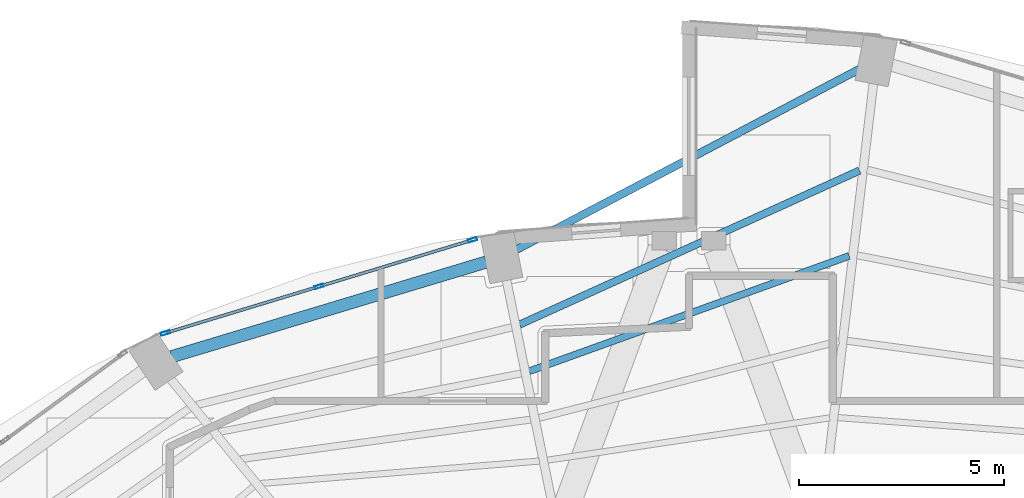
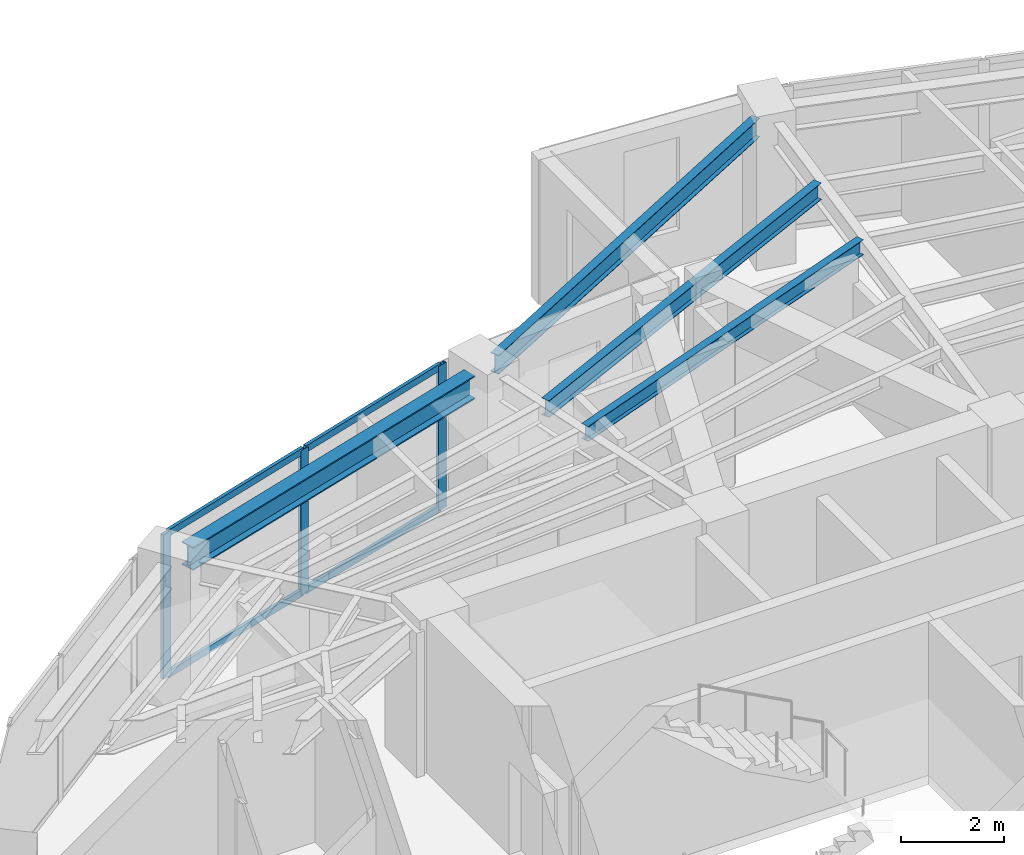
# One storey, part 12 of 20: 7 members, 4 beams, 1 element without a shape of its own.
"""IFC4 building model written with IfcOpenShell, lengths in metres."""

from ifc_helpers import new_model, si_unit, direction, frame, origin, origin_2d, place, context, subcontext, project, spatial, hollow_rectangle, i_section, extrude, material, layer, layer_set, material_profile, profile_set, type_object, element, aggregate, save


model = new_model("IFC4")

# Units and contexts
model_context = context("Model", 3, precision=1e-05, world=origin(), true_north=direction((0.0, 1.0)))
body_context = subcontext(model_context, "Body", "Model", "MODEL_VIEW")
ifc_project = project(units=[si_unit("LENGTHUNIT", "METRE"), si_unit("AREAUNIT", "SQUARE_METRE"), si_unit("VOLUMEUNIT", "CUBIC_METRE"), si_unit("PLANEANGLEUNIT", "RADIAN"), si_unit("MASSUNIT", "GRAM", prefix="KILO")], contexts=[model_context])

# Site, building, storey
site_placement = place(None, origin())
site = spatial("IfcSite", under=ifc_project, at=site_placement, CompositionType="ELEMENT")
building_placement = place(site_placement, origin())
building = spatial("IfcBuilding", under=site, at=building_placement, Name="Lazwardi Medical Tower", CompositionType="ELEMENT")
storey_placement = place(building_placement, frame((0.0, 0.0, 145.583984375)))
storey = spatial("IfcBuildingStorey", under=building, at=storey_placement, Name="L37", CompositionType="ELEMENT", Elevation=145.583984375)

# Beams
ifc_material_1 = material(Name="Steel S355", Category="steel")
ifc_material_profile_1 = material_profile(ifc_material_1, i_section(OverallWidth=0.300048828125, OverallDepth=0.550048828125, WebThickness=0.014892578125, FlangeThickness=0.029052734375, at=origin_2d()), Name="HEB 550")
ifc_profile_set_1 = profile_set([ifc_material_profile_1], Name="Steel S355")
beam_type_1 = type_object("IfcBeamType", Name="BM-RB-Z3", PredefinedType="BEAM", material=ifc_profile_set_1)
beam_1_placement = place(storey_placement, frame((31.056884765625, 42.133544921875, 3.153076171875), z_axis=(-0.957616873483, -0.288045002771, 0.0), x_axis=(0.288045002771, -0.957616873483, 0.0)))
element("IfcBeam", 1, at=beam_1_placement, inside=storey, type_object=beam_type_1, Name="Ring beam RB-04 B09 L37", PredefinedType="BEAM", context=body_context, shape_type="SweptSolid", body=[
    extrude(i_section(OverallWidth=0.300048828125, OverallDepth=0.550048828125, WebThickness=0.014892578125, FlangeThickness=0.029052734375, at=origin_2d()), origin(), (0.0, 0.0, 1.0), 7.99951171875),
])
ifc_material_profile_2 = material_profile(ifc_material_1, i_section(OverallWidth=0.179931640625, OverallDepth=0.39990234375, WebThickness=0.008544921875, FlangeThickness=0.013427734375, at=origin_2d()), Name="IPE 400")
ifc_profile_set_2 = profile_set([ifc_material_profile_2], Name="Steel S355")
beam_type_2 = type_object("IfcBeamType", Name="BM-SJ-01", PredefinedType="JOIST", material=ifc_profile_set_2)
beam_2_placement = place(storey_placement, frame((40.155029296875, 44.3642578125, 3.22802734375), z_axis=(-0.910834000674, -0.412772846995, 0.0), x_axis=(0.412772846995, -0.910834000674, 0.0)))
element("IfcBeam", 2, at=beam_2_placement, inside=storey, type_object=beam_type_2, Name="Secondary joist SJ-01 R1 B08 L37", PredefinedType="JOIST", context=body_context, shape_type="SweptSolid", body=[
    extrude(i_section(OverallWidth=0.179931640625, OverallDepth=0.39990234375, WebThickness=0.008544921875, FlangeThickness=0.013427734375, at=origin_2d()), origin(), (0.0, 0.0, 1.0), 9.09130859375),
])
ifc_material_profile_3 = material_profile(ifc_material_1, i_section(OverallWidth=0.169921875, OverallDepth=0.360107421875, WebThickness=0.008056640625, FlangeThickness=0.0126953125, at=origin_2d()), Name="IPE 360")
ifc_profile_set_3 = profile_set([ifc_material_profile_3], Name="Steel S355")
beam_type_3 = type_object("IfcBeamType", Name="BM-SJ-02", PredefinedType="JOIST", material=ifc_profile_set_3)
beam_3_placement = place(storey_placement, frame((39.904052734375, 42.284423828125, 3.248046875), z_axis=(-0.940747993319, -0.339106492221, 0.0), x_axis=(0.339106492221, -0.940747993319, 0.0)))
element("IfcBeam", 3, at=beam_3_placement, inside=storey, type_object=beam_type_3, Name="Secondary joist SJ-02 R2 B08 L37", PredefinedType="JOIST", context=body_context, shape_type="SweptSolid", body=[
    extrude(i_section(OverallWidth=0.169921875, OverallDepth=0.360107421875, WebThickness=0.008056640625, FlangeThickness=0.0126953125, at=origin_2d()), origin(), (0.0, 0.0, 1.0), 8.28662109375),
])
ifc_material_profile_4 = material_profile(ifc_material_1, i_section(OverallWidth=0.18994140625, OverallDepth=0.449951171875, WebThickness=0.009521484375, FlangeThickness=0.0146484375, at=origin_2d()), Name="IPE 450")
ifc_profile_set_4 = profile_set([ifc_material_profile_4], Name="Steel S355")
beam_type_4 = type_object("IfcBeamType", Name="BM-SP-01", PredefinedType="SPANDREL", material=ifc_profile_set_4)
beam_4_placement = place(storey_placement, frame((40.206298828125, 46.862548828125, 3.203125), z_axis=(-0.884926578414, -0.465730556026, 0.0), x_axis=(0.465730556026, -0.884926578414, 0.0)))
element("IfcBeam", 4, at=beam_4_placement, inside=storey, type_object=beam_type_4, Name="Spandrel beam SP-01 B08 L37", PredefinedType="SPANDREL", context=body_context, shape_type="SweptSolid", body=[
    extrude(i_section(OverallWidth=0.18994140625, OverallDepth=0.449951171875, WebThickness=0.009521484375, FlangeThickness=0.0146484375, at=origin_2d()), origin(), (0.0, 0.0, 1.0), 9.506591796875),
])

# Curtain wall, members
ifc_material_2 = material(Name="Anodised bronze aluminium and solar control glazing", Category="aluminium")
ifc_layer = layer(ifc_material_2, 0.195068359375)
ifc_layer_set = layer_set([ifc_layer], Name="Anodised bronze aluminium and solar control glazing")
curtain_wall_type = type_object("IfcCurtainWallType", Name="CW-SYS-03", PredefinedType="NOTDEFINED", material=ifc_layer_set)
curtain_wall_placement = place(storey_placement, origin())
curtain_wall = element("IfcCurtainWall", 5, at=curtain_wall_placement, inside=storey, type_object=curtain_wall_type, Name="L37 Unitised bronze curtain wall CW-03", PredefinedType="NOTDEFINED")
ifc_material_3 = material(Name="Anodised bronze aluminium", Category="aluminium")
ifc_material_profile_5 = material_profile(ifc_material_3, hollow_rectangle(XDim=0.074951171875, YDim=0.219970703125, WallThickness=0.00390625, at=origin_2d()), Name="ALU-MULLION 220x75x4")
ifc_profile_set_5 = profile_set([ifc_material_profile_5], Name="Anodised bronze aluminium")
member_type_1 = type_object("IfcMemberType", Name="CW-MUL-01", PredefinedType="MULLION", material=ifc_profile_set_5)
member_1_placement = place(storey_placement, frame((30.72802734375, 42.674072265625, 0.0), z_axis=(0.0, 0.0, 1.0), x_axis=(0.290280785441, -0.956941516292, 0.0)))
member_1 = element("IfcMember", 6, at=member_1_placement, type_object=member_type_1, Name="CW-03 mullion 1", PredefinedType="MULLION", context=body_context, shape_type="SweptSolid", body=[
    extrude(hollow_rectangle(XDim=0.074951171875, YDim=0.219970703125, WallThickness=0.00390625, at=origin_2d()), origin(), (0.0, 0.0, 1.0), 3.427978515625),
])
member_2_placement = place(storey_placement, frame((26.98486328125, 41.538818359375, 0.0), z_axis=(0.0, 0.0, 1.0), x_axis=(0.290280785441, -0.956941516292, 0.0)))
member_2 = element("IfcMember", 7, at=member_2_placement, type_object=member_type_1, Name="CW-03 mullion 2", PredefinedType="MULLION", context=body_context, shape_type="SweptSolid", body=[
    extrude(hollow_rectangle(XDim=0.074951171875, YDim=0.219970703125, WallThickness=0.00390625, at=origin_2d()), origin(), (0.0, 0.0, 1.0), 3.427978515625),
])
member_3_placement = place(storey_placement, frame((23.241943359375, 40.4033203125, 0.0), z_axis=(0.0, 0.0, 1.0), x_axis=(0.290280785441, -0.956941516292, 0.0)))
member_3 = element("IfcMember", 8, at=member_3_placement, type_object=member_type_1, Name="CW-03 mullion 3", PredefinedType="MULLION", context=body_context, shape_type="SweptSolid", body=[
    extrude(hollow_rectangle(XDim=0.074951171875, YDim=0.219970703125, WallThickness=0.00390625, at=origin_2d()), origin(), (0.0, 0.0, 1.0), 3.427978515625),
])
ifc_material_profile_6 = material_profile(ifc_material_3, hollow_rectangle(XDim=0.074951171875, YDim=0.159912109375, WallThickness=0.00390625, at=origin_2d()), Name="ALU-TRANSOM 160x75x4")
ifc_profile_set_6 = profile_set([ifc_material_profile_6], Name="Anodised bronze aluminium")
member_type_2 = type_object("IfcMemberType", Name="CW-TRN-01", PredefinedType="USERDEFINED", material=ifc_profile_set_6)
member_4_placement = place(storey_placement, frame((30.692138671875, 42.663330078125, 0.03759765625), z_axis=(-0.956935517424, -0.290300560612, 0.0), x_axis=(0.290300560612, -0.956935517424, 0.0)))
member_4 = element("IfcMember", 9, at=member_4_placement, type_object=member_type_2, Name="CW-03 transom 1.1", ObjectType="TRANSOM", PredefinedType="USERDEFINED", context=body_context, shape_type="SweptSolid", body=[
    extrude(hollow_rectangle(XDim=0.074951171875, YDim=0.159912109375, WallThickness=0.00390625, at=origin_2d()), origin(), (0.0, 0.0, 1.0), 3.836669921875),
])
member_5_placement = place(storey_placement, frame((30.692138671875, 42.663330078125, 3.390625), z_axis=(-0.956935517424, -0.290300560612, 0.0), x_axis=(0.290300560612, -0.956935517424, 0.0)))
member_5 = element("IfcMember", 10, at=member_5_placement, type_object=member_type_2, Name="CW-03 transom 1.2", ObjectType="TRANSOM", PredefinedType="USERDEFINED", context=body_context, shape_type="SweptSolid", body=[
    extrude(hollow_rectangle(XDim=0.074951171875, YDim=0.159912109375, WallThickness=0.00390625, at=origin_2d()), origin(), (0.0, 0.0, 1.0), 3.836669921875),
])
member_6_placement = place(storey_placement, frame((26.948974609375, 41.52783203125, 0.03759765625), z_axis=(-0.956930154175, -0.290318239233, 0.0), x_axis=(0.290318239233, -0.956930154175, 0.0)))
member_6 = element("IfcMember", 11, at=member_6_placement, type_object=member_type_2, Name="CW-03 transom 2.1", ObjectType="TRANSOM", PredefinedType="USERDEFINED", context=body_context, shape_type="SweptSolid", body=[
    extrude(hollow_rectangle(XDim=0.074951171875, YDim=0.159912109375, WallThickness=0.00390625, at=origin_2d()), origin(), (0.0, 0.0, 1.0), 3.83642578125),
])
member_7_placement = place(storey_placement, frame((26.948974609375, 41.52783203125, 3.390625), z_axis=(-0.956930154175, -0.290318239233, 0.0), x_axis=(0.290318239233, -0.956930154175, 0.0)))
member_7 = element("IfcMember", 12, at=member_7_placement, type_object=member_type_2, Name="CW-03 transom 2.2", ObjectType="TRANSOM", PredefinedType="USERDEFINED", context=body_context, shape_type="SweptSolid", body=[
    extrude(hollow_rectangle(XDim=0.074951171875, YDim=0.159912109375, WallThickness=0.00390625, at=origin_2d()), origin(), (0.0, 0.0, 1.0), 3.83642578125),
])
aggregate(curtain_wall, [member_1, member_2, member_3, member_4, member_5, member_6, member_7])

save(model, "model.ifc")
